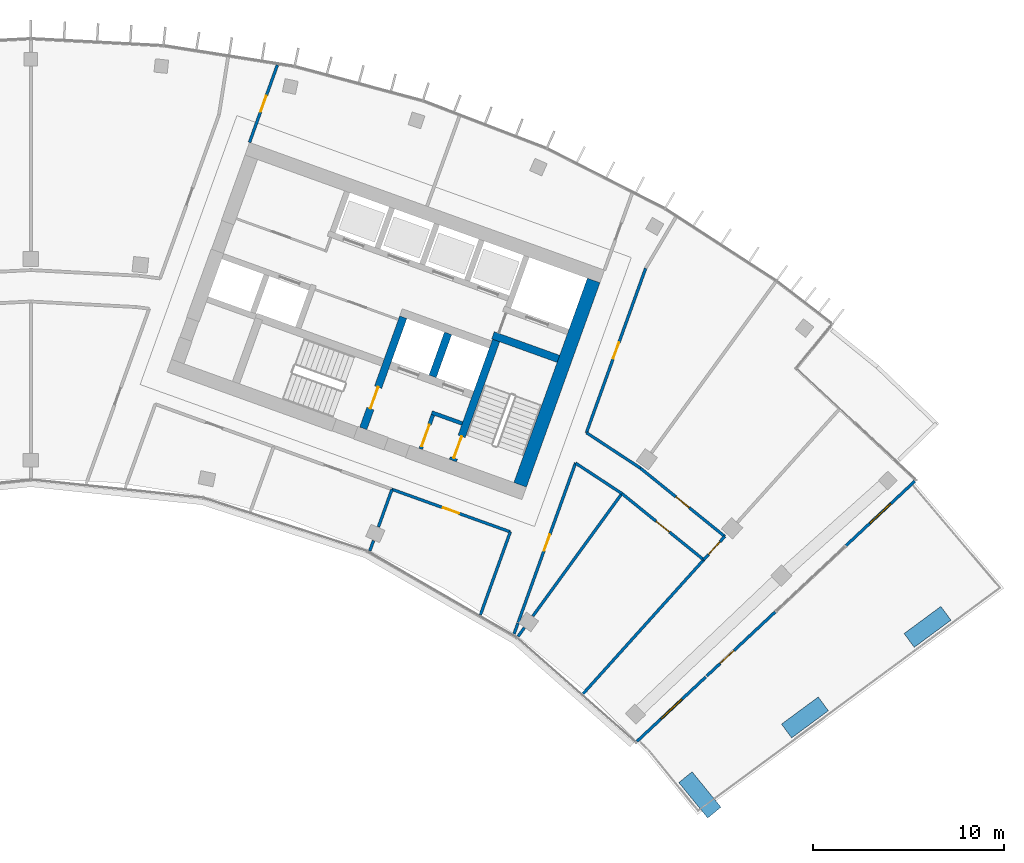
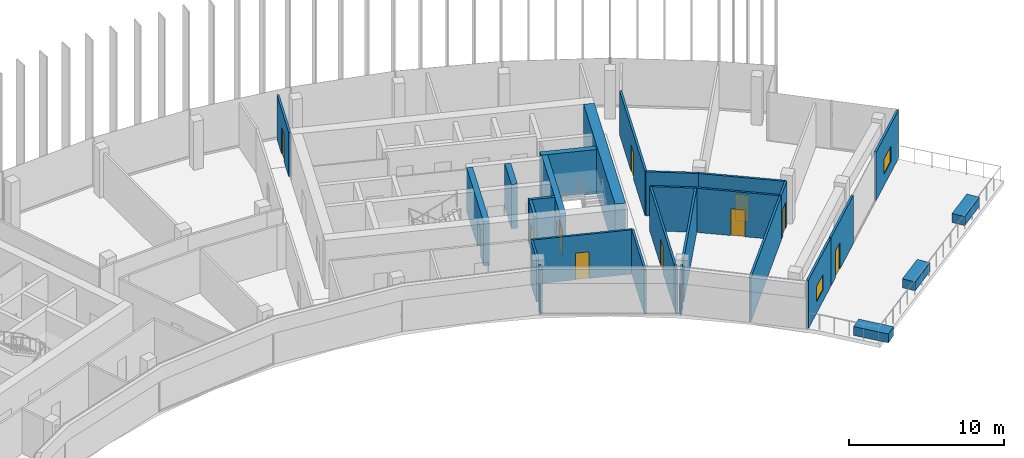
# One storey, part 16 of 19: 29 walls, 11 doors, 2 windows, 13 openings.
"""IFC4 building model written with IfcOpenShell, lengths in metres."""

from ifc_helpers import new_model, si_unit, direction, frame, frame_2d, origin, origin_2d, place, context, subcontext, project, spatial, rectangle, extrude, material, layer, layer_set, type_object, element, fill, save


model = new_model("IFC4")

# Units and contexts
model_context = context("Model", 3, precision=1e-05, world=origin(), true_north=direction((0.0, 1.0)))
body_context = subcontext(model_context, "Body", "Model", "MODEL_VIEW")
ifc_project = project(units=[si_unit("LENGTHUNIT", "METRE"), si_unit("AREAUNIT", "SQUARE_METRE"), si_unit("VOLUMEUNIT", "CUBIC_METRE"), si_unit("PLANEANGLEUNIT", "RADIAN"), si_unit("MASSUNIT", "GRAM", prefix="KILO")], contexts=[model_context])

# Site, building, storey
site_placement = place(None, origin())
site = spatial("IfcSite", under=ifc_project, at=site_placement, CompositionType="ELEMENT")
building_placement = place(site_placement, origin())
building = spatial("IfcBuilding", under=site, at=building_placement, Name="Stone Belt Terrace Tower", CompositionType="ELEMENT")
storey_placement = place(building_placement, frame((0.0, 0.0, 258.0)))
storey = spatial("IfcBuildingStorey", under=building, at=storey_placement, Name="L62", CompositionType="ELEMENT", Elevation=258.0)

# Wall, opening, window
ifc_material_1 = material(Name="Terracotta coloured glazed ceramic", Category="masonry")
ifc_layer_1 = layer(ifc_material_1, 0.14990234375)
ifc_layer_set_1 = layer_set([ifc_layer_1], Name="Ceramic rain-screen wall 150")
wall_type_1 = type_object("IfcWallType", Name="Ceramic rain-screen wall 150", PredefinedType="SOLIDWALL", material=ifc_layer_set_1)
wall_1_placement = place(storey_placement, frame((31.810791015625, 29.687744140625, 0.0), z_axis=(0.0, 0.0, 1.0), x_axis=(0.729892541149, 0.683561905298, 0.0)))
wall_1 = element("IfcWall", 1, at=wall_1_placement, inside=storey, type_object=wall_type_1, Name="Door wall L62", PredefinedType="SOLIDWALL", context=body_context, shape_type="SweptSolid", body=[
    extrude(rectangle(XDim=4.947998046875, YDim=0.14990234375, at=frame_2d((2.47412109375, 0.0))), origin(), (0.0, 0.0, 1.0), 3.800048828125),
])
opening_1_placement = place(wall_1_placement, frame((1.72412109375, 0.0, 0.89990234375)))
opening_1 = element("IfcOpeningElement", 2, at=opening_1_placement, cuts=wall_1, Name="Opening L62-E01", PredefinedType="OPENING", context=body_context, shape_type="SweptSolid", body=[
    extrude(rectangle(XDim=1.5, YDim=1.199951171875, at=frame_2d((0.75, 0.60009765625))), frame((0.0, 0.0849609375, 0.0), z_axis=(0.0, -1.0, 0.0), x_axis=(1.0, 0.0, 0.0)), (0.0, 0.0, 1.0), 0.169921875),
])
ifc_material_2 = material(Name="Anodised aluminium window frame", Category="aluminium")
window_type = type_object("IfcWindowType", Name="Conservatory vent window 1500 x 1200", PartitioningType="SINGLE_PANEL", PredefinedType="WINDOW", material=ifc_material_2)
window_1_placement = place(opening_1_placement, origin())
window_1 = element("IfcWindow", 3, at=window_1_placement, inside=storey, type_object=window_type, Name="Conservatory vent window L62", OverallHeight=1.199951171875, OverallWidth=1.5, PartitioningType="SINGLE_PANEL", PredefinedType="WINDOW", context=body_context, shape_type="SweptSolid", body=[
    extrude(rectangle(XDim=1.5, YDim=1.199951171875, at=frame_2d((0.75, 0.60009765625))), frame((0.0, 0.030029296875, 0.0), z_axis=(0.0, -1.0, 0.0), x_axis=(1.0, 0.0, 0.0)), (0.0, 0.0, 1.0), 0.06005859375),
])
fill(opening_1, window_1)

# Wall, opening, door
wall_2_placement = place(storey_placement, frame((35.480712890625, 33.124755859375, 0.0), z_axis=(0.0, 0.0, 1.0), x_axis=(0.729923945034, 0.683528371369, 0.0)))
wall_2 = element("IfcWall", 4, at=wall_2_placement, inside=storey, type_object=wall_type_1, Name="Door wall L62", PredefinedType="SOLIDWALL", context=body_context, shape_type="SweptSolid", body=[
    extrude(rectangle(XDim=4.920166015625, YDim=0.14990234375, at=frame_2d((2.4599609375, 0.0))), origin(), (0.0, 0.0, 1.0), 3.800048828125),
])
opening_2_placement = place(wall_2_placement, frame((0.949951171875, 0.0, 0.0)))
opening_2 = element("IfcOpeningElement", 5, at=opening_2_placement, cuts=wall_2, Name="Opening L62-E02", PredefinedType="OPENING", context=body_context, shape_type="SweptSolid", body=[
    extrude(rectangle(XDim=1.0, YDim=2.10009765625, at=frame_2d((0.5, 1.050048828125))), frame((0.0, 0.0849609375, 0.0), z_axis=(0.0, -1.0, 0.0), x_axis=(1.0, 0.0, 0.0)), (0.0, 0.0, 1.0), 0.169921875),
])
ifc_material_3 = material(Name="Anodised aluminium glazed door", Category="aluminium")
door_type_1 = type_object("IfcDoorType", Name="Terrace door 1000 x 2100", OperationType="NOTDEFINED", PredefinedType="DOOR", material=ifc_material_3)
door_1_placement = place(opening_2_placement, origin())
door_1 = element("IfcDoor", 6, at=door_1_placement, inside=storey, type_object=door_type_1, Name="Terrace door L62", OperationType="SINGLE_SWING_RIGHT", OverallHeight=2.10009765625, OverallWidth=1.0, PredefinedType="DOOR", context=body_context, shape_type="SweptSolid", body=[
    extrude(rectangle(XDim=1.0, YDim=2.10009765625, at=frame_2d((0.5, 1.050048828125))), frame((0.0, 0.02490234375, 0.0), z_axis=(0.0, -1.0, 0.0), x_axis=(1.0, 0.0, 0.0)), (0.0, 0.0, 1.0), 0.050048828125),
])
fill(opening_2, door_1)

# Wall, opening, window
wall_3_placement = place(storey_placement, frame((42.77978515625, 39.960205078125, 0.0), z_axis=(0.0, 0.0, 1.0), x_axis=(0.729917899416, 0.683534827286, 0.0)))
wall_3 = element("IfcWall", 7, at=wall_3_placement, inside=storey, type_object=wall_type_1, Name="Door wall L62", PredefinedType="SOLIDWALL", context=body_context, shape_type="SweptSolid", body=[
    extrude(rectangle(XDim=4.958251953125, YDim=0.14990234375, at=frame_2d((2.47900390625, 0.0))), origin(), (0.0, 0.0, 1.0), 3.800048828125),
])
opening_3_placement = place(wall_3_placement, frame((1.72900390625, 0.0, 0.89990234375)))
opening_3 = element("IfcOpeningElement", 8, at=opening_3_placement, cuts=wall_3, Name="Opening L62-E03", PredefinedType="OPENING", context=body_context, shape_type="SweptSolid", body=[
    extrude(rectangle(XDim=1.5, YDim=1.199951171875, at=frame_2d((0.75, 0.60009765625))), frame((0.0, 0.0849609375, 0.0), z_axis=(0.0, -1.0, 0.0), x_axis=(1.0, 0.0, 0.0)), (0.0, 0.0, 1.0), 0.169921875),
])
window_2_placement = place(opening_3_placement, origin())
window_2 = element("IfcWindow", 9, at=window_2_placement, inside=storey, type_object=window_type, Name="Conservatory vent window L62", OverallHeight=1.199951171875, OverallWidth=1.5, PartitioningType="SINGLE_PANEL", PredefinedType="WINDOW", context=body_context, shape_type="SweptSolid", body=[
    extrude(rectangle(XDim=1.5, YDim=1.199951171875, at=frame_2d((0.75, 0.60009765625))), frame((0.0, 0.030029296875, 0.0), z_axis=(0.0, -1.0, 0.0), x_axis=(1.0, 0.0, 0.0)), (0.0, 0.0, 1.0), 0.06005859375),
])
fill(opening_3, window_2)

# Walls
ifc_material_4 = material(Name="Concrete B60", Category="concrete")
ifc_layer_2 = layer(ifc_material_4, 0.699951171875)
ifc_layer_set_2 = layer_set([ifc_layer_2], Name="Core wall 700 B60")
wall_type_2 = type_object("IfcWallType", Name="Core wall 700 B60", PredefinedType="SHEAR", material=ifc_layer_set_2)
wall_4_placement = place(storey_placement, frame((25.679931640625, 43.153564453125, 0.0), z_axis=(0.0, 0.0, 1.0), x_axis=(0.338625431531, 0.940921259788, 0.0)))
element("IfcWall", 10, at=wall_4_placement, inside=storey, type_object=wall_type_2, Name="Core B wall end_b L62", PredefinedType="SHEAR", context=body_context, shape_type="SweptSolid", body=[
    extrude(rectangle(XDim=11.400146484375, YDim=0.699951171875, at=frame_2d((5.7001953125, 0.0))), origin(), (0.0, 0.0, 1.0), 3.800048828125),
])
ifc_material_5 = material(Name="Concrete B80", Category="concrete")
ifc_layer_3 = layer(ifc_material_5, 0.39990234375)
ifc_layer_set_3 = layer_set([ifc_layer_3], Name="Fire-fighting lift shaft wall 400")
wall_type_3 = type_object("IfcWallType", Name="Fire-fighting lift shaft wall 400", PredefinedType="SHEAR", material=ifc_layer_set_3)
wall_5_placement = place(storey_placement, frame((21.0859375, 48.845458984375, 0.0), z_axis=(0.0, 0.0, 1.0), x_axis=(0.338629416206, 0.940919825745, 0.0)))
element("IfcWall", 11, at=wall_5_placement, inside=storey, type_object=wall_type_3, Name="Core B wall", PredefinedType="SHEAR", context=body_context, shape_type="SweptSolid", body=[
    extrude(rectangle(XDim=2.400146484375, YDim=0.39990234375, at=frame_2d((1.2001953125, 0.0))), origin(), (0.0, 0.0, 1.0), 3.47998046875),
])

# Wall, opening, door
ifc_material_6 = material(Name="Gypsum board partition")
ifc_layer_4 = layer(ifc_material_6, 0.14990234375)
ifc_layer_set_4 = layer_set([ifc_layer_4], Name="PARTITION 150 EI 60")
wall_type_4 = type_object("IfcWallType", Name="PARTITION 150 EI 60", PredefinedType="PARTITIONING", material=ifc_layer_set_4)
wall_6_placement = place(storey_placement, frame((12.93798828125, 65.18505859375, 0.0), z_axis=(0.0, 0.0, 1.0), x_axis=(-0.338779570005, -0.940865773077, 0.0)))
wall_6 = element("IfcWall", 12, at=wall_6_placement, inside=storey, type_object=wall_type_4, Name="L62/wall/i022", PredefinedType="PARTITIONING", context=body_context, shape_type="SweptSolid", body=[
    extrude(rectangle(XDim=4.315185546875, YDim=0.14990234375, at=frame_2d((2.15771484375, 0.0))), origin(), (0.0, 0.0, 1.0), 3.47998046875),
])
opening_4_placement = place(wall_6_placement, frame((1.70751953125, 0.0, 0.0)))
opening_4 = element("IfcOpeningElement", 13, at=opening_4_placement, cuts=wall_6, Name="Opening D-SK2-09", PredefinedType="OPENING", context=body_context, shape_type="SweptSolid", body=[
    extrude(rectangle(XDim=0.89990234375, YDim=2.10009765625, at=frame_2d((0.449951171875, 1.050048828125))), frame((0.0, 0.0849609375, 0.0), z_axis=(0.0, -1.0, 0.0), x_axis=(1.0, 0.0, 0.0)), (0.0, 0.0, 1.0), 0.169921875),
])
ifc_material_7 = material(Name="Timber door leaf", Category="wood")
door_type_2 = type_object("IfcDoorType", Name="OFFICE DOOR 900 X 2100", OperationType="NOTDEFINED", PredefinedType="DOOR", material=ifc_material_7)
door_2_placement = place(opening_4_placement, origin())
door_2 = element("IfcDoor", 14, at=door_2_placement, inside=storey, type_object=door_type_2, Name="L62/door/i09", OperationType="SINGLE_SWING_RIGHT", OverallHeight=2.10009765625, OverallWidth=0.89990234375, PredefinedType="DOOR", context=body_context, shape_type="SweptSolid", body=[
    extrude(rectangle(XDim=0.89990234375, YDim=2.10009765625, at=frame_2d((0.449951171875, 1.050048828125))), frame((0.0, 0.02490234375, 0.0), z_axis=(0.0, -1.0, 0.0), x_axis=(1.0, 0.0, 0.0)), (0.0, 0.0, 1.0), 0.050048828125),
])
fill(opening_4, door_2)

# Wall
wall_7_placement = place(storey_placement, frame((23.596435546875, 36.3310546875, 0.0), z_axis=(0.0, 0.0, 1.0), x_axis=(0.338672803798, 0.940904209773, 0.0)))
element("IfcWall", 15, at=wall_7_placement, inside=storey, type_object=wall_type_4, Name="L62/wall/i026", PredefinedType="PARTITIONING", context=body_context, shape_type="SweptSolid", body=[
    extrude(rectangle(XDim=4.631591796875, YDim=0.14990234375, at=frame_2d((2.31591796875, 0.0))), origin(), (0.0, 0.0, 1.0), 3.47998046875),
])

# Wall, opening, door
wall_8_placement = place(storey_placement, frame((28.589111328125, 44.300048828125, 0.0), z_axis=(0.0, 0.0, 1.0), x_axis=(-0.338634815437, -0.940917882588, 0.0)))
wall_8 = element("IfcWall", 16, at=wall_8_placement, inside=storey, type_object=wall_type_4, Name="L62/wall/i028", PredefinedType="PARTITIONING", context=body_context, shape_type="SweptSolid", body=[
    extrude(rectangle(XDim=8.885009765625, YDim=0.14990234375, at=frame_2d((4.4423828125, 0.0))), origin(), (0.0, 0.0, 1.0), 3.47998046875),
])
opening_5_placement = place(wall_8_placement, frame((3.992431640625, 0.0, 0.0)))
opening_5 = element("IfcOpeningElement", 17, at=opening_5_placement, cuts=wall_8, Name="Opening D-SK2-18", PredefinedType="OPENING", context=body_context, shape_type="SweptSolid", body=[
    extrude(rectangle(XDim=0.89990234375, YDim=2.10009765625, at=frame_2d((0.449951171875, 1.050048828125))), frame((0.0, 0.0849609375, 0.0), z_axis=(0.0, -1.0, 0.0), x_axis=(1.0, 0.0, 0.0)), (0.0, 0.0, 1.0), 0.169921875),
])
door_3_placement = place(opening_5_placement, origin())
door_3 = element("IfcDoor", 18, at=door_3_placement, inside=storey, type_object=door_type_2, Name="L62/door/i18", OperationType="SINGLE_SWING_RIGHT", OverallHeight=2.10009765625, OverallWidth=0.89990234375, PredefinedType="DOOR", context=body_context, shape_type="SweptSolid", body=[
    extrude(rectangle(XDim=0.89990234375, YDim=2.10009765625, at=frame_2d((0.449951171875, 1.050048828125))), frame((0.0, 0.02490234375, 0.0), z_axis=(0.0, -1.0, 0.0), x_axis=(1.0, 0.0, 0.0)), (0.0, 0.0, 1.0), 0.050048828125),
])
fill(opening_5, door_3)

# Wall
wall_9_placement = place(storey_placement, frame((25.56591796875, 35.900146484375, 0.0), z_axis=(0.0, 0.0, 1.0), x_axis=(-0.338533716033, -0.940954261964, 0.0)))
element("IfcWall", 19, at=wall_9_placement, inside=storey, type_object=wall_type_4, Name="L62/wall/i029", PredefinedType="PARTITIONING", context=body_context, shape_type="SweptSolid", body=[
    extrude(rectangle(XDim=0.60498046875, YDim=0.14990234375, at=frame_2d((0.302490234375, 0.0))), origin(), (0.0, 0.0, 1.0), 3.47998046875),
])

# Wall, opening, door
wall_10_placement = place(storey_placement, frame((32.26806640625, 54.52001953125, 0.0), z_axis=(0.0, 0.0, 1.0), x_axis=(-0.338736422162, -0.940881308296, 0.0)))
wall_10 = element("IfcWall", 20, at=wall_10_placement, inside=storey, type_object=wall_type_4, Name="L62/wall/i031", PredefinedType="PARTITIONING", context=body_context, shape_type="SweptSolid", body=[
    extrude(rectangle(XDim=9.1787109375, YDim=0.14990234375, at=frame_2d((4.58935546875, 0.0))), origin(), (0.0, 0.0, 1.0), 3.47998046875),
])
opening_6_placement = place(wall_10_placement, frame((4.139404296875, 0.0, 0.0)))
opening_6 = element("IfcOpeningElement", 21, at=opening_6_placement, cuts=wall_10, Name="Opening D-SK2-20", PredefinedType="OPENING", context=body_context, shape_type="SweptSolid", body=[
    extrude(rectangle(XDim=0.89990234375, YDim=2.10009765625, at=frame_2d((0.449951171875, 1.050048828125))), frame((0.0, 0.0849609375, 0.0), z_axis=(0.0, -1.0, 0.0), x_axis=(1.0, 0.0, 0.0)), (0.0, 0.0, 1.0), 0.169921875),
])
door_4_placement = place(opening_6_placement, origin())
door_4 = element("IfcDoor", 22, at=door_4_placement, inside=storey, type_object=door_type_2, Name="L62/door/i20", OperationType="SINGLE_SWING_RIGHT", OverallHeight=2.10009765625, OverallWidth=0.89990234375, PredefinedType="DOOR", context=body_context, shape_type="SweptSolid", body=[
    extrude(rectangle(XDim=0.89990234375, YDim=2.10009765625, at=frame_2d((0.449951171875, 1.050048828125))), frame((0.0, 0.02490234375, 0.0), z_axis=(0.0, -1.0, 0.0), x_axis=(1.0, 0.0, 0.0)), (0.0, 0.0, 1.0), 0.050048828125),
])
fill(opening_6, door_4)

wall_11_placement = place(storey_placement, frame((25.1630859375, 40.68310546875, 0.0), z_axis=(0.0, 0.0, 1.0), x_axis=(-0.940934042754, 0.338589910047, 0.0)))
wall_11 = element("IfcWall", 23, at=wall_11_placement, inside=storey, type_object=wall_type_4, Name="L62/wall/i034", PredefinedType="PARTITIONING", context=body_context, shape_type="SweptSolid", body=[
    extrude(rectangle(XDim=6.606201171875, YDim=0.14990234375, at=frame_2d((3.30322265625, 0.0))), origin(), (0.0, 0.0, 1.0), 3.47998046875),
])
opening_7_placement = place(wall_11_placement, frame((2.85302734375, 0.0, 0.0)))
opening_7 = element("IfcOpeningElement", 24, at=opening_7_placement, cuts=wall_11, Name="Opening D-SK2-08", PredefinedType="OPENING", context=body_context, shape_type="SweptSolid", body=[
    extrude(rectangle(XDim=0.89990234375, YDim=2.10009765625, at=frame_2d((0.449951171875, 1.050048828125))), frame((0.0, 0.0849609375, 0.0), z_axis=(0.0, -1.0, 0.0), x_axis=(1.0, 0.0, 0.0)), (0.0, 0.0, 1.0), 0.169921875),
])
door_5_placement = place(opening_7_placement, origin())
door_5 = element("IfcDoor", 25, at=door_5_placement, inside=storey, type_object=door_type_2, Name="L62/door/i08", OperationType="SINGLE_SWING_RIGHT", OverallHeight=2.10009765625, OverallWidth=0.89990234375, PredefinedType="DOOR", context=body_context, shape_type="SweptSolid", body=[
    extrude(rectangle(XDim=0.89990234375, YDim=2.10009765625, at=frame_2d((0.449951171875, 1.050048828125))), frame((0.0, 0.02490234375, 0.0), z_axis=(0.0, -1.0, 0.0), x_axis=(1.0, 0.0, 0.0)), (0.0, 0.0, 1.0), 0.050048828125),
])
fill(opening_7, door_5)

# Walls
wall_12_placement = place(storey_placement, frame((18.952880859375, 42.91796875, 0.0), z_axis=(0.0, 0.0, 1.0), x_axis=(-0.338665874932, -0.940906703747, 0.0)))
element("IfcWall", 26, at=wall_12_placement, inside=storey, type_object=wall_type_4, Name="L62/wall/i036", PredefinedType="PARTITIONING", context=body_context, shape_type="SweptSolid", body=[
    extrude(rectangle(XDim=2.09716796875, YDim=0.14990234375, at=frame_2d((1.048583984375, 0.0))), origin(), (0.0, 0.0, 1.0), 3.47998046875),
])
wall_13_placement = place(storey_placement, frame((17.984375, 40.22802734375, 0.0), z_axis=(0.0, 0.0, 1.0), x_axis=(-0.338719468273, -0.940887411869, 0.0)))
element("IfcWall", 27, at=wall_13_placement, inside=storey, type_object=wall_type_4, Name="L62/wall/i037", PredefinedType="PARTITIONING", context=body_context, shape_type="SweptSolid", body=[
    extrude(rectangle(XDim=0.57080078125, YDim=0.14990234375, at=frame_2d((0.285400390625, 0.0))), origin(), (0.0, 0.0, 1.0), 3.47998046875),
])

# Wall, opening, door
wall_14_placement = place(storey_placement, frame((36.422119140625, 40.448974609375, 0.0), z_axis=(0.0, 0.0, 1.0), x_axis=(-0.669191970187, -0.743089568651, 0.0)))
wall_14 = element("IfcWall", 28, at=wall_14_placement, inside=storey, type_object=wall_type_4, Name="L62/wall/i056", PredefinedType="PARTITIONING", context=body_context, shape_type="SweptSolid", body=[
    extrude(rectangle(XDim=1.661865234375, YDim=0.14990234375, at=frame_2d((0.8310546875, 0.0))), origin(), (0.0, 0.0, 1.0), 3.47998046875),
])
opening_8_placement = place(wall_14_placement, frame((0.380859375, 0.0, 0.0)))
opening_8 = element("IfcOpeningElement", 29, at=opening_8_placement, cuts=wall_14, Name="Opening D-SK2-17", PredefinedType="OPENING", context=body_context, shape_type="SweptSolid", body=[
    extrude(rectangle(XDim=0.89990234375, YDim=2.10009765625, at=frame_2d((0.449951171875, 1.050048828125))), frame((0.0, 0.0849609375, 0.0), z_axis=(0.0, -1.0, 0.0), x_axis=(1.0, 0.0, 0.0)), (0.0, 0.0, 1.0), 0.169921875),
])
door_6_placement = place(opening_8_placement, origin())
door_6 = element("IfcDoor", 30, at=door_6_placement, inside=storey, type_object=door_type_2, Name="L62/door/i17", OperationType="SINGLE_SWING_RIGHT", OverallHeight=2.10009765625, OverallWidth=0.89990234375, PredefinedType="DOOR", context=body_context, shape_type="SweptSolid", body=[
    extrude(rectangle(XDim=0.89990234375, YDim=2.10009765625, at=frame_2d((0.449951171875, 1.050048828125))), frame((0.0, 0.02490234375, 0.0), z_axis=(0.0, -1.0, 0.0), x_axis=(1.0, 0.0, 0.0)), (0.0, 0.0, 1.0), 0.050048828125),
])
fill(opening_8, door_6)

# Walls
wall_15_placement = place(storey_placement, frame((28.97802734375, 32.182373046875, 0.0), z_axis=(0.0, 0.0, 1.0), x_axis=(0.669104250509, 0.743168555545, 0.0)))
element("IfcWall", 31, at=wall_15_placement, inside=storey, type_object=wall_type_4, Name="L62/wall/i057", PredefinedType="PARTITIONING", context=body_context, shape_type="SweptSolid", body=[
    extrude(rectangle(XDim=9.4736328125, YDim=0.14990234375, at=frame_2d((4.73681640625, 0.0))), origin(), (0.0, 0.0, 1.0), 3.47998046875),
])
wall_16_placement = place(storey_placement, frame((31.02001953125, 42.696044921875, 0.0), z_axis=(0.0, 0.0, 1.0), x_axis=(-0.835761580692, 0.549092506086, 0.0)))
element("IfcWall", 32, at=wall_16_placement, inside=storey, type_object=wall_type_4, Name="L62/wall/i059", PredefinedType="PARTITIONING", context=body_context, shape_type="SweptSolid", body=[
    extrude(rectangle(XDim=2.91015625, YDim=0.14990234375, at=frame_2d((1.455078125, 0.0))), origin(), (0.0, 0.0, 1.0), 3.47998046875),
])

# Wall, opening, door
wall_17_placement = place(storey_placement, frame((35.31298828125, 39.218994140625, 0.0), z_axis=(0.0, 0.0, 1.0), x_axis=(-0.777086357318, 0.629393988906, 0.0)))
wall_17 = element("IfcWall", 33, at=wall_17_placement, inside=storey, type_object=wall_type_4, Name="L62/wall/i060", PredefinedType="PARTITIONING", context=body_context, shape_type="SweptSolid", body=[
    extrude(rectangle(XDim=5.5244140625, YDim=0.14990234375, at=frame_2d((2.76220703125, 0.0))), origin(), (0.0, 0.0, 1.0), 3.47998046875),
])
opening_9_placement = place(wall_17_placement, frame((2.312255859375, 0.0, 0.0)))
opening_9 = element("IfcOpeningElement", 34, at=opening_9_placement, cuts=wall_17, Name="Opening D-SK2-19", PredefinedType="OPENING", context=body_context, shape_type="SweptSolid", body=[
    extrude(rectangle(XDim=0.89990234375, YDim=2.10009765625, at=frame_2d((0.449951171875, 1.050048828125))), frame((0.0, 0.0849609375, 0.0), z_axis=(0.0, -1.0, 0.0), x_axis=(1.0, 0.0, 0.0)), (0.0, 0.0, 1.0), 0.169921875),
])
door_7_placement = place(opening_9_placement, origin())
door_7 = element("IfcDoor", 35, at=door_7_placement, inside=storey, type_object=door_type_2, Name="L62/door/i19", OperationType="SINGLE_SWING_RIGHT", OverallHeight=2.10009765625, OverallWidth=0.89990234375, PredefinedType="DOOR", context=body_context, shape_type="SweptSolid", body=[
    extrude(rectangle(XDim=0.89990234375, YDim=2.10009765625, at=frame_2d((0.449951171875, 1.050048828125))), frame((0.0, 0.02490234375, 0.0), z_axis=(0.0, -1.0, 0.0), x_axis=(1.0, 0.0, 0.0)), (0.0, 0.0, 1.0), 0.050048828125),
])
fill(opening_9, door_7)

# Wall
wall_18_placement = place(storey_placement, frame((29.162109375, 45.888916015625, 0.0), z_axis=(0.0, 0.0, 1.0), x_axis=(0.835761298164, -0.549092936115, 0.0)))
element("IfcWall", 36, at=wall_18_placement, inside=storey, type_object=wall_type_4, Name="L62/wall/i061", PredefinedType="PARTITIONING", context=body_context, shape_type="SweptSolid", body=[
    extrude(rectangle(XDim=3.383544921875, YDim=0.14990234375, at=frame_2d((1.69189453125, 0.0))), origin(), (0.0, 0.0, 1.0), 3.47998046875),
])

# Wall, opening, door
wall_19_placement = place(storey_placement, frame((31.989990234375, 44.031005859375, 0.0), z_axis=(0.0, 0.0, 1.0), x_axis=(0.777142060115, -0.629325208776, 0.0)))
wall_19 = element("IfcWall", 37, at=wall_19_placement, inside=storey, type_object=wall_type_4, Name="L62/wall/i062", PredefinedType="PARTITIONING", context=body_context, shape_type="SweptSolid", body=[
    extrude(rectangle(XDim=5.696533203125, YDim=0.14990234375, at=frame_2d((2.84814453125, 0.0))), origin(), (0.0, 0.0, 1.0), 3.47998046875),
])
opening_10_placement = place(wall_19_placement, frame((2.398193359375, 0.0, 0.0)))
opening_10 = element("IfcOpeningElement", 38, at=opening_10_placement, cuts=wall_19, Name="Opening D-SK2-21", PredefinedType="OPENING", context=body_context, shape_type="SweptSolid", body=[
    extrude(rectangle(XDim=0.89990234375, YDim=2.10009765625, at=frame_2d((0.449951171875, 1.050048828125))), frame((0.0, 0.0849609375, 0.0), z_axis=(0.0, -1.0, 0.0), x_axis=(1.0, 0.0, 0.0)), (0.0, 0.0, 1.0), 0.169921875),
])
door_8_placement = place(opening_10_placement, origin())
door_8 = element("IfcDoor", 39, at=door_8_placement, inside=storey, type_object=door_type_2, Name="L62/door/i21", OperationType="SINGLE_SWING_RIGHT", OverallHeight=2.10009765625, OverallWidth=0.89990234375, PredefinedType="DOOR", context=body_context, shape_type="SweptSolid", body=[
    extrude(rectangle(XDim=0.89990234375, YDim=2.10009765625, at=frame_2d((0.449951171875, 1.050048828125))), frame((0.0, 0.02490234375, 0.0), z_axis=(0.0, -1.0, 0.0), x_axis=(1.0, 0.0, 0.0)), (0.0, 0.0, 1.0), 0.050048828125),
])
fill(opening_10, door_8)

# Walls
wall_20_placement = place(storey_placement, frame((31.02001953125, 42.696044921875, 0.0), z_axis=(0.0, 0.0, 1.0), x_axis=(-0.587819224362, -0.808992311132, 0.0)))
element("IfcWall", 40, at=wall_20_placement, inside=storey, type_object=wall_type_4, Name="L62/wall/i063", PredefinedType="PARTITIONING", context=body_context, shape_type="SweptSolid", body=[
    extrude(rectangle(XDim=7.949951171875, YDim=0.14990234375, at=frame_2d((3.97509765625, 0.0))), origin(), (0.0, 0.0, 1.0), 3.47998046875),
])
wall_21_placement = place(storey_placement, frame((25.900146484375, 35.64990234375, 0.0), z_axis=(0.0, 0.0, 1.0), x_axis=(-0.587966030763, -0.808885620263, 0.0)))
element("IfcWall", 41, at=wall_21_placement, inside=storey, type_object=wall_type_4, Name="L62/wall/i064", PredefinedType="PARTITIONING", context=body_context, shape_type="SweptSolid", body=[
    extrude(rectangle(XDim=0.564697265625, YDim=0.14990234375, at=frame_2d((0.2822265625, 0.0))), origin(), (0.0, 0.0, 1.0), 3.47998046875),
])
ifc_material_8 = material(Name="Precast concrete C40/50", Category="concrete")
ifc_layer_5 = layer(ifc_material_8, 0.89990234375)
ifc_layer_set_5 = layer_set([ifc_layer_5], Name="Planter box 900 x 700")
wall_type_5 = type_object("IfcWallType", Name="Planter box 900 x 700", PredefinedType="SOLIDWALL", material=ifc_layer_set_5)
for number, where, z_axis, x_axis, name in (
    (42, (35.113525390625, 26.879638671875, 0.0), (0.0, 0.0, 1.0), (0.632397726807, -0.774643863417, 0.0), "PLANTER L62 1"),
    (43, (40.627685546875, 30.9453125, 0.0), (0.0, 0.0, 1.0), (0.804329077539, 0.594184091865, 0.0), "PLANTER L62 2"),
    (44, (47.062255859375, 35.69873046875, 0.0), (0.0, 0.0, 1.0), (0.804329077539, 0.594184091865, 0.0), "PLANTER L62 3"),
):
    element("IfcWall", number, at=place(storey_placement, frame(where, z_axis=z_axis, x_axis=x_axis)), inside=storey, type_object=wall_type_5, Name=name, PredefinedType="SOLIDWALL", context=body_context, shape_type="SweptSolid", body=[
        extrude(rectangle(XDim=2.39990234375, YDim=0.89990234375, at=origin_2d()), origin(), (0.0, 0.0, 1.0), 0.699951171875),
    ])
ifc_material_9 = material(Name="Concrete masonry block", Category="masonry")
ifc_layer_6 = layer(ifc_material_9, 0.199951171875)
ifc_layer_set_6 = layer_set([ifc_layer_6], Name="Rated lobby wall 200")
wall_type_6 = type_object("IfcWallType", Name="Rated lobby wall 200", PredefinedType="PARTITIONING", material=ifc_layer_set_6)
wall_22_placement = place(storey_placement, frame((22.640625, 46.373046875, 0.0), z_axis=(0.0, 0.0, 1.0), x_axis=(-0.940966110313, 0.338500781747, 0.0)))
element("IfcWall", 45, at=wall_22_placement, inside=storey, type_object=wall_type_6, Name="Core B wall", PredefinedType="PARTITIONING", context=body_context, shape_type="SweptSolid", body=[
    extrude(rectangle(XDim=1.699951171875, YDim=0.199951171875, at=frame_2d((0.85009765625, 0.0))), origin(), (0.0, 0.0, 1.0), 3.47998046875),
])

# Wall, opening, door
wall_23_placement = place(storey_placement, frame((20.4580078125, 45.032958984375, 0.0), z_axis=(0.0, 0.0, 1.0), x_axis=(0.338573865316, 0.940939816208, 0.0)))
wall_23 = element("IfcWall", 46, at=wall_23_placement, inside=storey, type_object=wall_type_6, Name="Core B wall", PredefinedType="PARTITIONING", context=body_context, shape_type="SweptSolid", body=[
    extrude(rectangle(XDim=1.900146484375, YDim=0.199951171875, at=frame_2d((0.9501953125, 0.0))), origin(), (0.0, 0.0, 1.0), 3.47998046875),
])
opening_11_placement = place(wall_23_placement, frame((0.14990234375, 0.0, 0.0)))
opening_11 = element("IfcOpeningElement", 47, at=opening_11_placement, cuts=wall_23, Name="Opening L62-C16", PredefinedType="OPENING", context=body_context, shape_type="SweptSolid", body=[
    extrude(rectangle(XDim=1.199951171875, YDim=2.10009765625, at=frame_2d((0.60009765625, 1.050048828125))), frame((0.0, 0.10986328125, 0.0), z_axis=(0.0, -1.0, 0.0), x_axis=(1.0, 0.0, 0.0)), (0.0, 0.0, 1.0), 0.219970703125),
])
ifc_material_10 = material(Name="Steel door leaf", Category="steel")
door_type_3 = type_object("IfcDoorType", Name="Stair door 1200", OperationType="SINGLE_SWING_LEFT", PredefinedType="DOOR", material=ifc_material_10)
door_9_placement = place(opening_11_placement, origin())
door_9 = element("IfcDoor", 48, at=door_9_placement, inside=storey, type_object=door_type_3, Name="Stair airlock door core B", OperationType="SINGLE_SWING_RIGHT", OverallHeight=2.10009765625, OverallWidth=1.199951171875, PredefinedType="DOOR", context=body_context, shape_type="SweptSolid", body=[
    extrude(rectangle(XDim=1.199951171875, YDim=2.10009765625, at=frame_2d((0.60009765625, 1.050048828125))), frame((0.0, 0.02490234375, 0.0), z_axis=(0.0, -1.0, 0.0), x_axis=(1.0, 0.0, 0.0)), (0.0, 0.0, 1.0), 0.050048828125),
])
fill(opening_11, door_9)

# Wall
ifc_layer_7 = layer(ifc_material_5, 0.39990234375)
ifc_layer_set_7 = layer_set([ifc_layer_7], Name="Stair enclosure wall 400")
wall_type_7 = type_object("IfcWallType", Name="Stair enclosure wall 400", PredefinedType="SHEAR", material=ifc_layer_set_7)
wall_24_placement = place(storey_placement, frame((27.687255859375, 49.764404296875, 0.0), z_axis=(0.0, 0.0, 1.0), x_axis=(-0.940918954884, 0.338631835981, 0.0)))
element("IfcWall", 49, at=wall_24_placement, inside=storey, type_object=wall_type_7, Name="Core B wall", PredefinedType="SHEAR", context=body_context, shape_type="SweptSolid", body=[
    extrude(rectangle(XDim=3.650146484375, YDim=0.39990234375, at=frame_2d((1.8251953125, 0.0))), origin(), (0.0, 0.0, 1.0), 3.47998046875),
])

# Wall, opening, door
wall_25_placement = place(storey_placement, frame((22.151611328125, 44.42333984375, 0.0), z_axis=(0.0, 0.0, 1.0), x_axis=(0.338625272931, 0.940921316866, 0.0)))
wall_25 = element("IfcWall", 50, at=wall_25_placement, inside=storey, type_object=wall_type_7, Name="Core B wall", PredefinedType="SHEAR", context=body_context, shape_type="SweptSolid", body=[
    extrude(rectangle(XDim=6.699951171875, YDim=0.39990234375, at=frame_2d((3.35009765625, 0.0))), origin(), (0.0, 0.0, 1.0), 3.47998046875),
])
opening_12_placement = place(wall_25_placement, frame((0.14990234375, 0.0, 0.0)))
opening_12 = element("IfcOpeningElement", 51, at=opening_12_placement, cuts=wall_25, Name="Opening L62-C15", PredefinedType="OPENING", context=body_context, shape_type="SweptSolid", body=[
    extrude(rectangle(XDim=1.199951171875, YDim=2.10009765625, at=frame_2d((0.60009765625, 1.050048828125))), frame((0.0, 0.2099609375, 0.0), z_axis=(0.0, -1.0, 0.0), x_axis=(1.0, 0.0, 0.0)), (0.0, 0.0, 1.0), 0.419921875),
])
door_10_placement = place(opening_12_placement, origin())
door_10 = element("IfcDoor", 52, at=door_10_placement, inside=storey, type_object=door_type_3, Name="Stair 1 door core B", OperationType="SINGLE_SWING_RIGHT", OverallHeight=2.10009765625, OverallWidth=1.199951171875, PredefinedType="DOOR", context=body_context, shape_type="SweptSolid", body=[
    extrude(rectangle(XDim=1.199951171875, YDim=2.10009765625, at=frame_2d((0.60009765625, 1.050048828125))), frame((0.0, 0.02490234375, 0.0), z_axis=(0.0, -1.0, 0.0), x_axis=(1.0, 0.0, 0.0)), (0.0, 0.0, 1.0), 0.050048828125),
])
fill(opening_12, door_10)

wall_26_placement = place(storey_placement, frame((17.447021484375, 46.116455078125, 0.0), z_axis=(0.0, 0.0, 1.0), x_axis=(0.33860791464, 0.940927563707, 0.0)))
wall_26 = element("IfcWall", 53, at=wall_26_placement, inside=storey, type_object=wall_type_7, Name="Core B wall", PredefinedType="SHEAR", context=body_context, shape_type="SweptSolid", body=[
    extrude(rectangle(XDim=6.199951171875, YDim=0.39990234375, at=frame_2d((3.10009765625, 0.0))), origin(), (0.0, 0.0, 1.0), 3.47998046875),
])
opening_13_placement = place(wall_26_placement, frame((1.10009765625, 0.0, 0.0)))
opening_13 = element("IfcOpeningElement", 54, at=opening_13_placement, cuts=wall_26, Name="Opening L62-C18", PredefinedType="OPENING", context=body_context, shape_type="SweptSolid", body=[
    extrude(rectangle(XDim=1.199951171875, YDim=2.10009765625, at=frame_2d((0.60009765625, 1.050048828125))), frame((0.0, 0.2099609375, 0.0), z_axis=(0.0, -1.0, 0.0), x_axis=(1.0, 0.0, 0.0)), (0.0, 0.0, 1.0), 0.419921875),
])
door_11_placement = place(opening_13_placement, origin())
door_11 = element("IfcDoor", 55, at=door_11_placement, inside=storey, type_object=door_type_3, Name="Stair 2 door core B", OperationType="SINGLE_SWING_RIGHT", OverallHeight=2.10009765625, OverallWidth=1.199951171875, PredefinedType="DOOR", context=body_context, shape_type="SweptSolid", body=[
    extrude(rectangle(XDim=1.199951171875, YDim=2.10009765625, at=frame_2d((0.60009765625, 1.050048828125))), frame((0.0, 0.02490234375, 0.0), z_axis=(0.0, -1.0, 0.0), x_axis=(1.0, 0.0, 0.0)), (0.0, 0.0, 1.0), 0.050048828125),
])
fill(opening_13, door_11)

save(model, "model.ifc")
